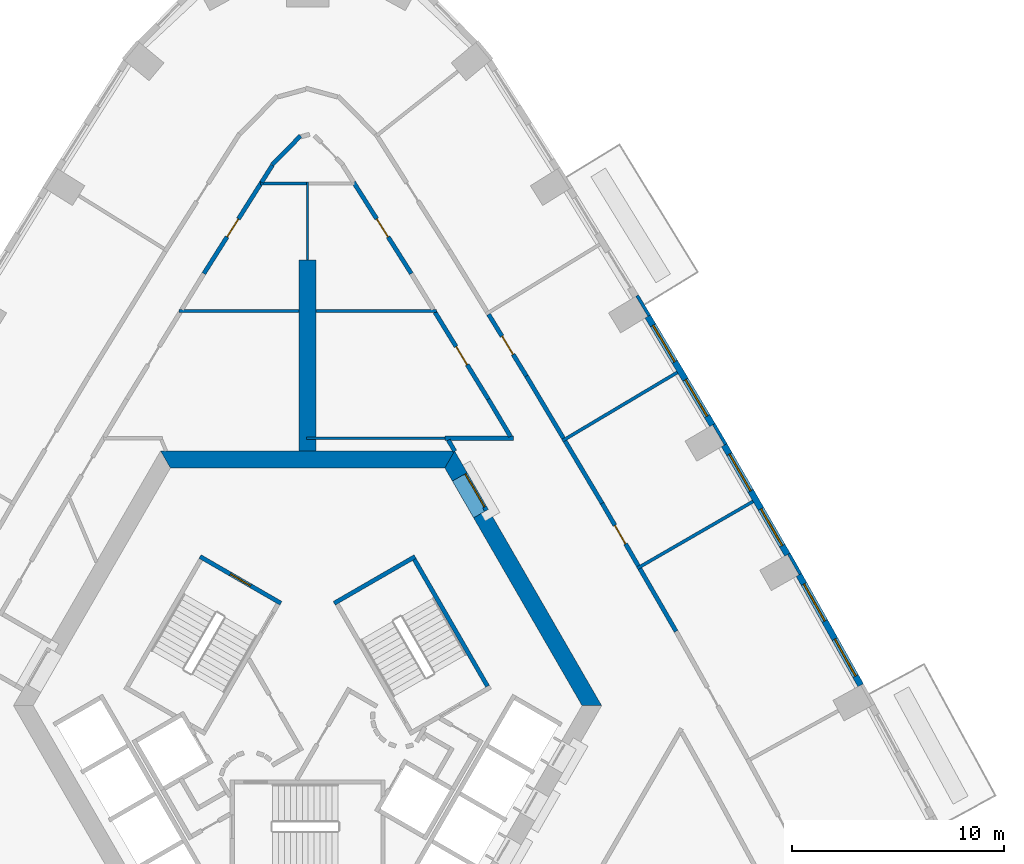
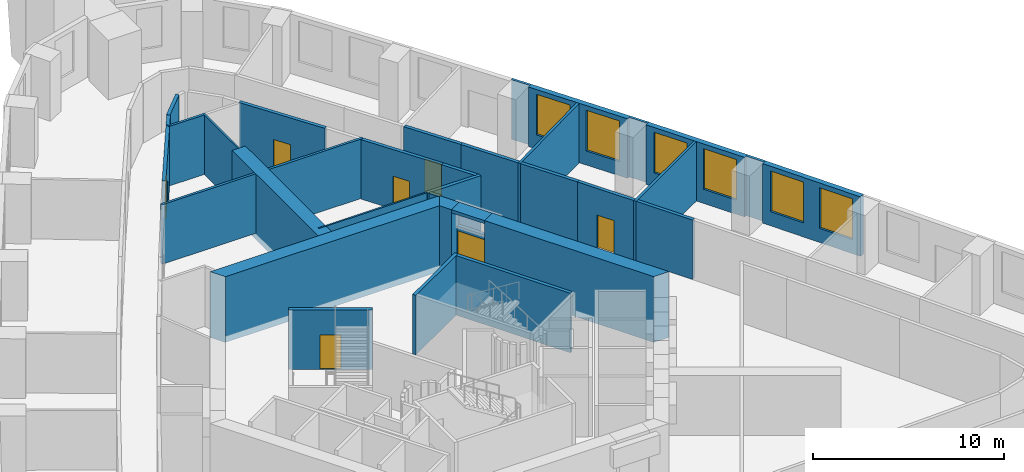
# One storey, part 9 of 15: 35 walls, 7 doors, 6 windows, 13 openings.
"""IFC4 building model written with IfcOpenShell, lengths in metres."""

from ifc_helpers import new_model, si_unit, direction, frame, frame_2d, origin, place, context, subcontext, project, spatial, polyline, rectangle, outline, extrude, material, layer, layer_set, type_object, element, fill, save


model = new_model("IFC4")

# Units and contexts
model_context = context("Model", 3, precision=1e-05, world=origin(), true_north=direction((0.0, 1.0)))
body_context = subcontext(model_context, "Body", "Model", "MODEL_VIEW")
ifc_project = project(units=[si_unit("LENGTHUNIT", "METRE"), si_unit("AREAUNIT", "SQUARE_METRE"), si_unit("VOLUMEUNIT", "CUBIC_METRE"), si_unit("PLANEANGLEUNIT", "RADIAN"), si_unit("MASSUNIT", "GRAM", prefix="KILO")], contexts=[model_context])

# Site, building, storey
site_placement = place(None, origin())
site = spatial("IfcSite", under=ifc_project, at=site_placement, CompositionType="ELEMENT")
building_placement = place(site_placement, origin())
building = spatial("IfcBuilding", under=site, at=building_placement, Name="Entoto Arch Interchange Tower", CompositionType="ELEMENT")
storey_placement = place(building_placement, frame((0.0, 0.0, 150.800048828125)))
storey = spatial("IfcBuildingStorey", under=building, at=storey_placement, Name="L33", CompositionType="ELEMENT", Elevation=150.800048828125)

# Wall
ifc_material_1 = material(Name="Concrete C50/60", Category="concrete")
ifc_layer_1 = layer(ifc_material_1, 0.800048828125)
ifc_layer_set_1 = layer_set([ifc_layer_1], Name="Concrete C50/60")
wall_type_1 = type_object("IfcWallType", Name="Buttress wall 800 C50/60", PredefinedType="SHEAR", material=ifc_layer_set_1)
wall_1_placement = place(storey_placement, frame((0.0, 14.5, -0.400146484375), z_axis=(0.0, 0.0, 1.0), x_axis=(0.0, 1.0, 0.0)))
element("IfcWall", 1, at=wall_1_placement, inside=storey, type_object=wall_type_1, Name="Buttress wall N L33", PredefinedType="SHEAR", context=body_context, shape_type="SweptSolid", body=[
    extrude(rectangle(XDim=9.0, YDim=0.800048828125, at=frame_2d((4.5, 0.0))), origin(), (0.0, 0.0, 1.0), 4.2001953125),
])

# Wall, opening, door
ifc_material_2 = material(Name="Reinforced concrete C40/50", Category="concrete")
ifc_layer_2 = layer(ifc_material_2, 0.199951171875)
ifc_layer_set_2 = layer_set([ifc_layer_2], Name="Reinforced concrete C40/50")
wall_type_2 = type_object("IfcWallType", Name="CORE GAP INFILL WALL", PredefinedType="PARTITIONING", material=ifc_layer_set_2)
wall_2_placement = place(storey_placement, frame((8.429931640625, 11.697998046875, 0.0), z_axis=(0.0, 0.0, 1.0), x_axis=(-0.50002537861, 0.866010750942, 0.0)))
wall_2 = element("IfcWall", 2, at=wall_2_placement, inside=storey, type_object=wall_type_2, Name="wall:L33:gap2", PredefinedType="PARTITIONING", context=body_context, shape_type="SweptSolid", body=[
    extrude(rectangle(XDim=2.0, YDim=0.199951171875, at=frame_2d((1.0, 0.0))), origin(), (0.0, 0.0, 1.0), 2.39990234375),
])
opening_1_placement = place(wall_2_placement, frame((0.18994140625, 0.0, 0.0)))
opening_1 = element("IfcOpeningElement", 3, at=opening_1_placement, cuts=wall_2, Name="Opening L33-D92", PredefinedType="OPENING", context=body_context, shape_type="SweptSolid", body=[
    extrude(rectangle(XDim=1.800048828125, YDim=2.10009765625, at=frame_2d((0.89990234375, 1.050048828125))), frame((0.0, 0.10986328125, 0.0), z_axis=(0.0, -1.0, 0.0), x_axis=(1.0, 0.0, 0.0)), (0.0, 0.0, 1.0), 0.219970703125),
])
ifc_material_3 = material(Name="Fire-rated Steel S235 door and frame", Category="steel")
door_type_1 = type_object("IfcDoorType", Name="DOOR FD-18 1800x2100", OperationType="DOUBLE_DOOR_SINGLE_SWING", PredefinedType="DOOR", material=ifc_material_3)
door_1_placement = place(opening_1_placement, origin())
door_1 = element("IfcDoor", 4, at=door_1_placement, inside=storey, type_object=door_type_1, Name="door:L33:gap2", OperationType="DOUBLE_DOOR_SINGLE_SWING", OverallHeight=2.10009765625, OverallWidth=1.800048828125, PredefinedType="DOOR", context=body_context, shape_type="SweptSolid", body=[
    extrude(rectangle(XDim=1.800048828125, YDim=2.10009765625, at=frame_2d((0.89990234375, 1.050048828125))), frame((0.0, 0.02490234375, 0.0), z_axis=(0.0, -1.0, 0.0), x_axis=(1.0, 0.0, 0.0)), (0.0, 0.0, 1.0), 0.050048828125),
])
fill(opening_1, door_1)

# Walls
ifc_layer_3 = layer(ifc_material_1, 0.800048828125)
ifc_layer_set_3 = layer_set([ifc_layer_3], Name="Concrete C50/60")
wall_type_3 = type_object("IfcWallType", Name="Core wall 800 C50/60", PredefinedType="SHEAR", material=ifc_layer_set_3)
wall_3_placement = place(storey_placement, frame((0.0, 0.0, -0.400146484375)))
element("IfcWall", 5, at=wall_3_placement, inside=storey, type_object=wall_type_3, Name="Core wall NE L33", PredefinedType="SHEAR", context=body_context, shape_type="SweptSolid", body=[
    extrude(outline(polyline([(8.51708984375, 11.748046875), (7.823974609375, 11.347900390625), (12.93310546875, 2.5), (13.85595703125, 2.5), (8.51708984375, 11.748046875)])), origin(), (0.0, 0.0, 1.0), 4.2001953125),
])
wall_4_placement = place(storey_placement, frame((0.0, 0.0, -0.400146484375)))
element("IfcWall", 6, at=wall_4_placement, inside=storey, type_object=wall_type_3, Name="Core wall NE L33", PredefinedType="SHEAR", context=body_context, shape_type="SweptSolid", body=[
    extrude(outline(polyline([(6.823974609375, 13.080078125), (7.51708984375, 13.47998046875), (6.927978515625, 14.5), (6.466064453125, 13.699951171875), (6.823974609375, 13.080078125)])), origin(), (0.0, 0.0, 1.0), 4.2001953125),
])
wall_5_placement = place(storey_placement, frame((0.0, 0.0, 3.599853515625)))
element("IfcWall", 7, at=wall_5_placement, inside=storey, type_object=wall_type_3, Name="Core wall lintel NE L33", PredefinedType="SHEAR", context=body_context, shape_type="SweptSolid", body=[
    extrude(outline(polyline([(7.51708984375, 13.47998046875), (6.823974609375, 13.080078125), (7.823974609375, 11.347900390625), (8.51708984375, 11.748046875), (7.51708984375, 13.47998046875)])), origin(), (0.0, 0.0, 1.0), 0.2001953125),
])
wall_6_placement = place(storey_placement, frame((0.0, 0.0, -0.400146484375)))
element("IfcWall", 8, at=wall_6_placement, inside=storey, type_object=wall_type_3, Name="Core wall N L33", PredefinedType="SHEAR", context=body_context, shape_type="SweptSolid", body=[
    extrude(outline(polyline([(6.927978515625, 14.5), (-6.927978515625, 14.5), (-6.466064453125, 13.699951171875), (6.466064453125, 13.699951171875), (6.927978515625, 14.5)])), origin(), (0.0, 0.0, 1.0), 4.2001953125),
])
ifc_material_4 = material(Name="Gypsum board partition on steel studs", Category="steel")
ifc_layer_4 = layer(ifc_material_4, 0.10009765625)
ifc_layer_set_4 = layer_set([ifc_layer_4], Name="Gypsum board partition on steel studs")
wall_type_4 = type_object("IfcWallType", Name="PARTITION 100", PredefinedType="PARTITIONING", material=ifc_layer_set_4)
wall_7_placement = place(storey_placement, frame((6.48388671875, 15.10009765625, 0.0), z_axis=(0.0, 0.0, 1.0), x_axis=(-1.0, 0.0, 0.0)))
element("IfcWall", 9, at=wall_7_placement, inside=storey, type_object=wall_type_4, Name="wall:L33:p112", PredefinedType="PARTITIONING", context=body_context, shape_type="SweptSolid", body=[
    extrude(rectangle(XDim=6.533935546875, YDim=0.10009765625, at=frame_2d((3.26708984375, 0.0))), origin(), (0.0, 0.0, 1.0), 3.800048828125),
])
wall_8_placement = place(storey_placement, frame((0.0, 23.5, 0.0), z_axis=(0.0, 0.0, 1.0), x_axis=(0.0, 1.0, 0.0)))
element("IfcWall", 10, at=wall_8_placement, inside=storey, type_object=wall_type_4, Name="wall:L33:p115", PredefinedType="PARTITIONING", context=body_context, shape_type="SweptSolid", body=[
    extrude(rectangle(XDim=3.675048828125, YDim=0.10009765625, at=frame_2d((1.83740234375, 0.0))), origin(), (0.0, 0.0, 1.0), 3.800048828125),
])
ifc_layer_5 = layer(ifc_material_4, 0.14990234375)
ifc_layer_set_5 = layer_set([ifc_layer_5], Name="Gypsum board partition on steel studs")
wall_type_5 = type_object("IfcWallType", Name="PARTITION 150", PredefinedType="PARTITIONING", material=ifc_layer_set_5)
for number, where, z_axis, x_axis, name in (
    (11, (0.39990234375, 21.10009765625, 0.0), (0.0, 0.0, 1.0), (1.0, 0.0, 0.0), "wall:L33:p113"),
    (12, (-6.06591796875, 21.10009765625, 0.0), (0.0, 0.0, 1.0), (1.0, 0.0, 0.0), "wall:L33:p114"),
):
    element("IfcWall", number, at=place(storey_placement, frame(where, z_axis=z_axis, x_axis=x_axis)), inside=storey, type_object=wall_type_5, Name=name, PredefinedType="PARTITIONING", context=body_context, shape_type="SweptSolid", body=[
        extrude(rectangle(XDim=5.666015625, YDim=0.14990234375, at=frame_2d((2.8330078125, 0.0))), origin(), (0.0, 0.0, 1.0), 3.800048828125),
    ])
wall_9_placement = place(storey_placement, frame((-2.2080078125, 27.10009765625, 0.0), z_axis=(0.0, 0.0, 1.0), x_axis=(1.0, 0.0, 0.0)))
element("IfcWall", 13, at=wall_9_placement, inside=storey, type_object=wall_type_5, Name="wall:L33:p117", PredefinedType="PARTITIONING", context=body_context, shape_type="SweptSolid", body=[
    extrude(rectangle(XDim=2.157958984375, YDim=0.14990234375, at=frame_2d((1.0791015625, 0.0))), origin(), (0.0, 0.0, 1.0), 3.800048828125),
])
wall_10_placement = place(storey_placement, frame((15.534912109375, 8.968994140625, 0.0), z_axis=(0.0, 0.0, 1.0), x_axis=(0.865951968193, 0.500127172609, 0.0)))
element("IfcWall", 14, at=wall_10_placement, inside=storey, type_object=wall_type_5, Name="wall:L33:p128", PredefinedType="PARTITIONING", context=body_context, shape_type="SweptSolid", body=[
    extrude(rectangle(XDim=6.300537109375, YDim=0.14990234375, at=frame_2d((3.150390625, 0.0))), origin(), (0.0, 0.0, 1.0), 3.800048828125),
])
wall_11_placement = place(storey_placement, frame((12.010009765625, 14.98095703125, 0.0), z_axis=(0.0, 0.0, 1.0), x_axis=(0.859343975102, 0.51139801765, 0.0)))
element("IfcWall", 15, at=wall_11_placement, inside=storey, type_object=wall_type_5, Name="wall:L33:p129", PredefinedType="PARTITIONING", context=body_context, shape_type="SweptSolid", body=[
    extrude(rectangle(XDim=6.30029296875, YDim=0.14990234375, at=frame_2d((3.150146484375, 0.0))), origin(), (0.0, 0.0, 1.0), 3.800048828125),
])
ifc_layer_6 = layer(ifc_material_4, 0.199951171875)
ifc_layer_set_6 = layer_set([ifc_layer_6], Name="Gypsum board partition on steel studs")
wall_type_6 = type_object("IfcWallType", Name="PARTITION 200", PredefinedType="PARTITIONING", material=ifc_layer_set_6)
wall_12_placement = place(storey_placement, frame((6.48388671875, 15.10009765625, 0.0), z_axis=(0.0, 0.0, 1.0), x_axis=(1.0, 0.0, 0.0)))
element("IfcWall", 16, at=wall_12_placement, inside=storey, type_object=wall_type_6, Name="wall:L33:p005", PredefinedType="PARTITIONING", context=body_context, shape_type="SweptSolid", body=[
    extrude(rectangle(XDim=3.22802734375, YDim=0.199951171875, at=frame_2d((1.614013671875, 0.0))), origin(), (0.0, 0.0, 1.0), 3.800048828125),
])
wall_13_placement = place(storey_placement, frame((9.56103515625, 15.18603515625, 0.0), z_axis=(0.0, 0.0, 1.0), x_axis=(-0.511399832047, 0.859342895346, 0.0)))
element("IfcWall", 17, at=wall_13_placement, inside=storey, type_object=wall_type_6, Name="wall:L33:p006", PredefinedType="PARTITIONING", context=body_context, shape_type="SweptSolid", body=[
    extrude(rectangle(XDim=2.043212890625, YDim=0.199951171875, at=frame_2d((1.021484375, 0.0))), origin(), (0.0, 0.0, 1.0), 3.800048828125),
])

# Wall, opening, door
wall_14_placement = place(storey_placement, frame((8.51611328125, 16.94189453125, 0.0), z_axis=(0.0, 0.0, 1.0), x_axis=(-0.522865983217, 0.852414901086, 0.0)))
wall_14 = element("IfcWall", 18, at=wall_14_placement, inside=storey, type_object=wall_type_6, Name="wall:L33:p007", PredefinedType="PARTITIONING", context=body_context, shape_type="SweptSolid", body=[
    extrude(rectangle(XDim=4.802734375, YDim=0.199951171875, at=frame_2d((2.4013671875, 0.0))), origin(), (0.0, 0.0, 1.0), 3.800048828125),
])
opening_2_placement = place(wall_14_placement, frame((1.90087890625, 0.0, 0.0)))
opening_2 = element("IfcOpeningElement", 19, at=opening_2_placement, cuts=wall_14, Name="Opening L33-D19", PredefinedType="OPENING", context=body_context, shape_type="SweptSolid", body=[
    extrude(rectangle(XDim=1.0, YDim=2.10009765625, at=frame_2d((0.5, 1.050048828125))), frame((0.0, 0.10986328125, 0.0), z_axis=(0.0, -1.0, 0.0), x_axis=(1.0, 0.0, 0.0)), (0.0, 0.0, 1.0), 0.219970703125),
])
ifc_material_5 = material(Name="Timber door leaf in Steel S235 frame", Category="steel")
door_type_2 = type_object("IfcDoorType", Name="DOOR DS-10 1000x2100", OperationType="SINGLE_SWING_LEFT", PredefinedType="DOOR", material=ifc_material_5)
door_2_placement = place(opening_2_placement, origin())
door_2 = element("IfcDoor", 20, at=door_2_placement, inside=storey, type_object=door_type_2, Name="door:L33:19", OperationType="SINGLE_SWING_LEFT", OverallHeight=2.10009765625, OverallWidth=1.0, PredefinedType="DOOR", context=body_context, shape_type="SweptSolid", body=[
    extrude(rectangle(XDim=1.0, YDim=2.10009765625, at=frame_2d((0.5, 1.050048828125))), frame((0.0, 0.02490234375, 0.0), z_axis=(0.0, -1.0, 0.0), x_axis=(1.0, 0.0, 0.0)), (0.0, 0.0, 1.0), 0.050048828125),
])
fill(opening_2, door_2)

# Wall
wall_15_placement = place(storey_placement, frame((6.93701171875, 14.488037109375, 0.0), z_axis=(0.0, 0.0, 1.0), x_axis=(-0.499908430952, 0.866078264744, 0.0)))
element("IfcWall", 21, at=wall_15_placement, inside=storey, type_object=wall_type_6, Name="wall:L33:p008", PredefinedType="PARTITIONING", context=body_context, shape_type="SweptSolid", body=[
    extrude(rectangle(XDim=0.60595703125, YDim=0.199951171875, at=frame_2d((0.302978515625, 0.0))), origin(), (0.0, 0.0, 1.0), 3.800048828125),
])

# Wall, opening, door
wall_16_placement = place(storey_placement, frame((4.886962890625, 22.860107421875, 0.0), z_axis=(0.0, 0.0, 1.0), x_axis=(-0.534315942524, 0.845284847589, 0.0)))
wall_16 = element("IfcWall", 22, at=wall_16_placement, inside=storey, type_object=wall_type_6, Name="wall:L33:p012", PredefinedType="PARTITIONING", context=body_context, shape_type="SweptSolid", body=[
    extrude(rectangle(XDim=5.090576171875, YDim=0.199951171875, at=frame_2d((2.54541015625, 0.0))), origin(), (0.0, 0.0, 1.0), 3.800048828125),
])
opening_3_placement = place(wall_16_placement, frame((2.044921875, 0.0, 0.0)))
opening_3 = element("IfcOpeningElement", 23, at=opening_3_placement, cuts=wall_16, Name="Opening L33-D21", PredefinedType="OPENING", context=body_context, shape_type="SweptSolid", body=[
    extrude(rectangle(XDim=1.0, YDim=2.10009765625, at=frame_2d((0.5, 1.050048828125))), frame((0.0, 0.10986328125, 0.0), z_axis=(0.0, -1.0, 0.0), x_axis=(1.0, 0.0, 0.0)), (0.0, 0.0, 1.0), 0.219970703125),
])
door_3_placement = place(opening_3_placement, origin())
door_3 = element("IfcDoor", 24, at=door_3_placement, inside=storey, type_object=door_type_2, Name="door:L33:21", OperationType="SINGLE_SWING_LEFT", OverallHeight=2.10009765625, OverallWidth=1.0, PredefinedType="DOOR", context=body_context, shape_type="SweptSolid", body=[
    extrude(rectangle(XDim=1.0, YDim=2.10009765625, at=frame_2d((0.5, 1.050048828125))), frame((0.0, 0.02490234375, 0.0), z_axis=(0.0, -1.0, 0.0), x_axis=(1.0, 0.0, 0.0)), (0.0, 0.0, 1.0), 0.050048828125),
])
fill(opening_3, door_3)

wall_17_placement = place(storey_placement, frame((-2.1669921875, 27.1630859375, 0.0), z_axis=(0.0, 0.0, 1.0), x_axis=(-0.534315942524, -0.845284847589, 0.0)))
wall_17 = element("IfcWall", 25, at=wall_17_placement, inside=storey, type_object=wall_type_6, Name="wall:L33:p013", PredefinedType="PARTITIONING", context=body_context, shape_type="SweptSolid", body=[
    extrude(rectangle(XDim=5.090576171875, YDim=0.199951171875, at=frame_2d((2.54541015625, 0.0))), origin(), (0.0, 0.0, 1.0), 3.800048828125),
])
opening_4_placement = place(wall_17_placement, frame((2.044921875, 0.0, 0.0)))
opening_4 = element("IfcOpeningElement", 26, at=opening_4_placement, cuts=wall_17, Name="Opening L33-D22", PredefinedType="OPENING", context=body_context, shape_type="SweptSolid", body=[
    extrude(rectangle(XDim=1.0, YDim=2.10009765625, at=frame_2d((0.5, 1.050048828125))), frame((0.0, 0.10986328125, 0.0), z_axis=(0.0, -1.0, 0.0), x_axis=(1.0, 0.0, 0.0)), (0.0, 0.0, 1.0), 0.219970703125),
])
door_4_placement = place(opening_4_placement, origin())
door_4 = element("IfcDoor", 27, at=door_4_placement, inside=storey, type_object=door_type_2, Name="door:L33:22", OperationType="SINGLE_SWING_LEFT", OverallHeight=2.10009765625, OverallWidth=1.0, PredefinedType="DOOR", context=body_context, shape_type="SweptSolid", body=[
    extrude(rectangle(XDim=1.0, YDim=2.10009765625, at=frame_2d((0.5, 1.050048828125))), frame((0.0, 0.02490234375, 0.0), z_axis=(0.0, -1.0, 0.0), x_axis=(1.0, 0.0, 0.0)), (0.0, 0.0, 1.0), 0.050048828125),
])
fill(opening_4, door_4)

# Walls
wall_18_placement = place(storey_placement, frame((-0.327880859375, 29.35400390625, 0.0), z_axis=(0.0, 0.0, 1.0), x_axis=(-0.700357727804, -0.713792023705, 0.0)))
element("IfcWall", 28, at=wall_18_placement, inside=storey, type_object=wall_type_6, Name="wall:L33:p018", PredefinedType="PARTITIONING", context=body_context, shape_type="SweptSolid", body=[
    extrude(rectangle(XDim=1.92626953125, YDim=0.199951171875, at=frame_2d((0.963134765625, 0.0))), origin(), (0.0, 0.0, 1.0), 3.800048828125),
])
wall_19_placement = place(storey_placement, frame((-1.659912109375, 27.966064453125, 0.0), z_axis=(0.0, 0.0, 1.0), x_axis=(-0.533944629884, -0.845519445204, 0.0)))
element("IfcWall", 29, at=wall_19_placement, inside=storey, type_object=wall_type_6, Name="wall:L33:p019", PredefinedType="PARTITIONING", context=body_context, shape_type="SweptSolid", body=[
    extrude(rectangle(XDim=0.94970703125, YDim=0.199951171875, at=frame_2d((0.474853515625, 0.0))), origin(), (0.0, 0.0, 1.0), 3.800048828125),
])
wall_20_placement = place(storey_placement, frame((15.658935546875, 8.9541015625, 0.0), z_axis=(0.0, 0.0, 1.0), x_axis=(0.50001992892, -0.866013897511, 0.0)))
element("IfcWall", 30, at=wall_20_placement, inside=storey, type_object=wall_type_6, Name="wall:L33:p048", PredefinedType="PARTITIONING", context=body_context, shape_type="SweptSolid", body=[
    extrude(rectangle(XDim=3.409912109375, YDim=0.199951171875, at=frame_2d((1.705078125, 0.0))), origin(), (0.0, 0.0, 1.0), 3.800048828125),
])
wall_21_placement = place(storey_placement, frame((12.134033203125, 14.968017578125, 0.0), z_axis=(0.0, 0.0, 1.0), x_axis=(0.511545516492, -0.859256180983, 0.0)))
element("IfcWall", 31, at=wall_21_placement, inside=storey, type_object=wall_type_6, Name="wall:L33:p050", PredefinedType="PARTITIONING", context=body_context, shape_type="SweptSolid", body=[
    extrude(rectangle(XDim=3.410888671875, YDim=0.199951171875, at=frame_2d((1.70556640625, 0.0))), origin(), (0.0, 0.0, 1.0), 3.800048828125),
])

# Wall, opening, door
wall_22_placement = place(storey_placement, frame((13.87890625, 12.037109375, 0.0), z_axis=(0.0, 0.0, 1.0), x_axis=(0.50001992892, -0.866013897511, 0.0)))
wall_22 = element("IfcWall", 32, at=wall_22_placement, inside=storey, type_object=wall_type_6, Name="wall:L33:p051", PredefinedType="PARTITIONING", context=body_context, shape_type="SweptSolid", body=[
    extrude(rectangle(XDim=3.409912109375, YDim=0.199951171875, at=frame_2d((1.705078125, 0.0))), origin(), (0.0, 0.0, 1.0), 3.800048828125),
])
opening_5_placement = place(wall_22_placement, frame((1.205078125, 0.0, 0.0)))
opening_5 = element("IfcOpeningElement", 33, at=opening_5_placement, cuts=wall_22, Name="Opening L33-D07", PredefinedType="OPENING", context=body_context, shape_type="SweptSolid", body=[
    extrude(rectangle(XDim=1.0, YDim=2.10009765625, at=frame_2d((0.5, 1.050048828125))), frame((0.0, 0.10986328125, 0.0), z_axis=(0.0, -1.0, 0.0), x_axis=(1.0, 0.0, 0.0)), (0.0, 0.0, 1.0), 0.219970703125),
])
door_5_placement = place(opening_5_placement, origin())
door_5 = element("IfcDoor", 34, at=door_5_placement, inside=storey, type_object=door_type_2, Name="door:L33:07", OperationType="SINGLE_SWING_LEFT", OverallHeight=2.10009765625, OverallWidth=1.0, PredefinedType="DOOR", context=body_context, shape_type="SweptSolid", body=[
    extrude(rectangle(XDim=1.0, YDim=2.10009765625, at=frame_2d((0.5, 1.050048828125))), frame((0.0, 0.02490234375, 0.0), z_axis=(0.0, -1.0, 0.0), x_axis=(1.0, 0.0, 0.0)), (0.0, 0.0, 1.0), 0.050048828125),
])
fill(opening_5, door_5)

wall_23_placement = place(storey_placement, frame((8.530029296875, 20.93505859375, 0.0), z_axis=(0.0, 0.0, 1.0), x_axis=(0.522830634433, -0.852436582801, 0.0)))
wall_23 = element("IfcWall", 35, at=wall_23_placement, inside=storey, type_object=wall_type_6, Name="wall:L33:p052", PredefinedType="PARTITIONING", context=body_context, shape_type="SweptSolid", body=[
    extrude(rectangle(XDim=3.41015625, YDim=0.199951171875, at=frame_2d((1.705078125, 0.0))), origin(), (0.0, 0.0, 1.0), 3.800048828125),
])
opening_6_placement = place(wall_23_placement, frame((1.205078125, 0.0, 0.0)))
opening_6 = element("IfcOpeningElement", 36, at=opening_6_placement, cuts=wall_23, Name="Opening L33-D08", PredefinedType="OPENING", context=body_context, shape_type="SweptSolid", body=[
    extrude(rectangle(XDim=1.0, YDim=2.10009765625, at=frame_2d((0.5, 1.050048828125))), frame((0.0, 0.10986328125, 0.0), z_axis=(0.0, -1.0, 0.0), x_axis=(1.0, 0.0, 0.0)), (0.0, 0.0, 1.0), 0.219970703125),
])
door_6_placement = place(opening_6_placement, origin())
door_6 = element("IfcDoor", 37, at=door_6_placement, inside=storey, type_object=door_type_2, Name="door:L33:08", OperationType="SINGLE_SWING_LEFT", OverallHeight=2.10009765625, OverallWidth=1.0, PredefinedType="DOOR", context=body_context, shape_type="SweptSolid", body=[
    extrude(rectangle(XDim=1.0, YDim=2.10009765625, at=frame_2d((0.5, 1.050048828125))), frame((0.0, 0.02490234375, 0.0), z_axis=(0.0, -1.0, 0.0), x_axis=(1.0, 0.0, 0.0)), (0.0, 0.0, 1.0), 0.050048828125),
])
fill(opening_6, door_6)

# Walls
wall_24_placement = place(storey_placement, frame((10.31298828125, 18.028076171875, 0.0), z_axis=(0.0, 0.0, 1.0), x_axis=(0.511566898838, -0.859243450958, 0.0)))
element("IfcWall", 38, at=wall_24_placement, inside=storey, type_object=wall_type_6, Name="wall:L33:p053", PredefinedType="PARTITIONING", context=body_context, shape_type="SweptSolid", body=[
    extrude(rectangle(XDim=3.411376953125, YDim=0.199951171875, at=frame_2d((1.70556640625, 0.0))), origin(), (0.0, 0.0, 1.0), 3.800048828125),
])
ifc_material_6 = material(Name="Concrete C40/50", Category="concrete")
ifc_layer_7 = layer(ifc_material_6, 0.199951171875)
ifc_layer_set_7 = layer_set([ifc_layer_7], Name="Concrete C40/50")
wall_type_7 = type_object("IfcWallType", Name="STAIR ENCLOSURE WALL 200", PredefinedType="STANDARD", material=ifc_layer_set_7)
wall_25_placement = place(storey_placement, frame((1.256103515625, 7.323974609375, 0.0), z_axis=(0.0, 0.0, 1.0), x_axis=(0.866046073146, 0.499964197906, 0.0)))
element("IfcWall", 39, at=wall_25_placement, inside=storey, type_object=wall_type_7, Name="Stair wall ST-NE far", PredefinedType="STANDARD", context=body_context, shape_type="SweptSolid", body=[
    extrude(rectangle(XDim=4.400146484375, YDim=0.199951171875, at=frame_2d((2.2001953125, 0.0))), origin(), (0.0, 0.0, 1.0), 3.800048828125),
])
wall_26_placement = place(storey_placement, frame((8.47998046875, 3.412109375, 0.0), z_axis=(0.0, 0.0, 1.0), x_axis=(-0.499978703459, 0.866037698999, 0.0)))
element("IfcWall", 40, at=wall_26_placement, inside=storey, type_object=wall_type_7, Name="Stair wall ST-NE back", PredefinedType="STANDARD", context=body_context, shape_type="SweptSolid", body=[
    extrude(rectangle(XDim=6.900146484375, YDim=0.199951171875, at=frame_2d((3.4501953125, 0.0))), origin(), (0.0, 0.0, 1.0), 3.800048828125),
])

# Wall, opening, door
wall_27_placement = place(storey_placement, frame((-1.256103515625, 7.323974609375, 0.0), z_axis=(0.0, 0.0, 1.0), x_axis=(-0.866046073146, 0.499964197906, 0.0)))
wall_27 = element("IfcWall", 41, at=wall_27_placement, inside=storey, type_object=wall_type_7, Name="Stair wall ST-NW near", PredefinedType="STANDARD", context=body_context, shape_type="SweptSolid", body=[
    extrude(rectangle(XDim=4.400146484375, YDim=0.199951171875, at=frame_2d((2.2001953125, 0.0))), origin(), (0.0, 0.0, 1.0), 3.800048828125),
])
opening_7_placement = place(wall_27_placement, frame((1.64990234375, 0.0, 0.0)))
opening_7 = element("IfcOpeningElement", 42, at=opening_7_placement, cuts=wall_27, Name="Opening SD-ST-NW-L33-E", PredefinedType="OPENING", context=body_context, shape_type="SweptSolid", body=[
    extrude(rectangle(XDim=1.10009765625, YDim=2.199951171875, at=frame_2d((0.550048828125, 1.10009765625))), frame((0.0, 0.10986328125, 0.0), z_axis=(0.0, -1.0, 0.0), x_axis=(1.0, 0.0, 0.0)), (0.0, 0.0, 1.0), 0.219970703125),
])
ifc_material_7 = material(Name="Steel S235", Category="steel")
door_type_3 = type_object("IfcDoorType", Name="STAIR DOOR SD1 1100x2200", OperationType="SINGLE_SWING_LEFT", PredefinedType="DOOR", material=ifc_material_7)
door_7_placement = place(opening_7_placement, origin())
door_7 = element("IfcDoor", 43, at=door_7_placement, inside=storey, type_object=door_type_3, Name="Stair door ST-NW L33 end", OperationType="SINGLE_SWING_LEFT", OverallHeight=2.199951171875, OverallWidth=1.10009765625, PredefinedType="DOOR", context=body_context, shape_type="SweptSolid", body=[
    extrude(rectangle(XDim=1.10009765625, YDim=2.199951171875, at=frame_2d((0.550048828125, 1.10009765625))), frame((0.0, 0.02490234375, 0.0), z_axis=(0.0, -1.0, 0.0), x_axis=(1.0, 0.0, 0.0)), (0.0, 0.0, 1.0), 0.050048828125),
])
fill(opening_7, door_7)

# Wall, openings, windows
ifc_material_8 = material(Name="Welded tuff (ignimbrite) cladding, warm buff", Category="masonry")
ifc_layer_8 = layer(ifc_material_8, 0.300048828125)
ifc_layer_set_8 = layer_set([ifc_layer_8], Name="Welded tuff (ignimbrite) cladding, warm buff")
wall_type_8 = type_object("IfcWallType", Name="STONE INFILL WALL 300", PredefinedType="STANDARD", material=ifc_layer_set_8)
wall_28_placement = place(storey_placement, frame((26.06201171875, 3.462890625, 0.0), z_axis=(0.0, 0.0, 1.0), x_axis=(-0.488354983501, 0.872645065356, 0.0)))
wall_28 = element("IfcWall", 44, at=wall_28_placement, inside=storey, type_object=wall_type_8, Name="Facade wall NE-03 L33", PredefinedType="STANDARD", context=body_context, shape_type="SweptSolid", body=[
    extrude(rectangle(XDim=5.95654296875, YDim=0.300048828125, at=frame_2d((2.978271484375, 0.0))), origin(), (0.0, 0.0, 1.0), 3.800048828125),
])
opening_8_placement = place(wall_28_placement, frame((0.489013671875, 0.0, 0.89990234375)))
opening_8 = element("IfcOpeningElement", 45, at=opening_8_placement, cuts=wall_28, Name="Opening WO-C", PredefinedType="OPENING", context=body_context, shape_type="SweptSolid", body=[
    extrude(rectangle(XDim=2.0, YDim=2.60009765625, at=frame_2d((1.0, 1.300048828125))), frame((0.0, 0.16015625, 0.0), z_axis=(0.0, -1.0, 0.0), x_axis=(1.0, 0.0, 0.0)), (0.0, 0.0, 1.0), 0.320068359375),
])
opening_9_placement = place(wall_28_placement, frame((3.467041015625, 0.0, 0.89990234375)))
opening_9 = element("IfcOpeningElement", 46, at=opening_9_placement, cuts=wall_28, Name="Opening WO-C", PredefinedType="OPENING", context=body_context, shape_type="SweptSolid", body=[
    extrude(rectangle(XDim=2.0, YDim=2.60009765625, at=frame_2d((1.0, 1.300048828125))), frame((0.0, 0.16015625, 0.0), z_axis=(0.0, -1.0, 0.0), x_axis=(1.0, 0.0, 0.0)), (0.0, 0.0, 1.0), 0.320068359375),
])
ifc_material_9 = material(Name="Clear glass, low-e double glazed", Category="glass")
window_type = type_object("IfcWindowType", Name="WINDOW WO-C 2000x2600", PartitioningType="DOUBLE_PANEL_VERTICAL", PredefinedType="WINDOW", material=ifc_material_9)
window_1_placement = place(opening_8_placement, origin())
window_1 = element("IfcWindow", 47, at=window_1_placement, inside=storey, type_object=window_type, Name="Window WO-C NE-03 L33", OverallHeight=2.60009765625, OverallWidth=2.0, PartitioningType="SINGLE_PANEL", PredefinedType="WINDOW", context=body_context, shape_type="SweptSolid", body=[
    extrude(rectangle(XDim=2.0, YDim=2.60009765625, at=frame_2d((1.0, 1.300048828125))), frame((0.0, 0.030029296875, 0.0), z_axis=(0.0, -1.0, 0.0), x_axis=(1.0, 0.0, 0.0)), (0.0, 0.0, 1.0), 0.06005859375),
])
fill(opening_8, window_1)
window_2_placement = place(opening_9_placement, origin())
window_2 = element("IfcWindow", 48, at=window_2_placement, inside=storey, type_object=window_type, Name="Window WO-C NE-03 L33", OverallHeight=2.60009765625, OverallWidth=2.0, PartitioningType="SINGLE_PANEL", PredefinedType="WINDOW", context=body_context, shape_type="SweptSolid", body=[
    extrude(rectangle(XDim=2.0, YDim=2.60009765625, at=frame_2d((1.0, 1.300048828125))), frame((0.0, 0.030029296875, 0.0), z_axis=(0.0, -1.0, 0.0), x_axis=(1.0, 0.0, 0.0)), (0.0, 0.0, 1.0), 0.06005859375),
])
fill(opening_9, window_2)

wall_29_placement = place(storey_placement, frame((22.610107421875, 9.614990234375, 0.0), z_axis=(0.0, 0.0, 1.0), x_axis=(-0.500061823953, 0.865989706766, 0.0)))
wall_29 = element("IfcWall", 49, at=wall_29_placement, inside=storey, type_object=wall_type_8, Name="Facade wall NE-04 L33", PredefinedType="STANDARD", context=body_context, shape_type="SweptSolid", body=[
    extrude(rectangle(XDim=5.957275390625, YDim=0.300048828125, at=frame_2d((2.978515625, 0.0))), origin(), (0.0, 0.0, 1.0), 3.800048828125),
])
opening_10_placement = place(wall_29_placement, frame((0.489013671875, 0.0, 0.89990234375)))
opening_10 = element("IfcOpeningElement", 50, at=opening_10_placement, cuts=wall_29, Name="Opening WO-C", PredefinedType="OPENING", context=body_context, shape_type="SweptSolid", body=[
    extrude(rectangle(XDim=2.0, YDim=2.60009765625, at=frame_2d((1.0, 1.300048828125))), frame((0.0, 0.16015625, 0.0), z_axis=(0.0, -1.0, 0.0), x_axis=(1.0, 0.0, 0.0)), (0.0, 0.0, 1.0), 0.320068359375),
])
opening_11_placement = place(wall_29_placement, frame((3.468017578125, 0.0, 0.89990234375)))
opening_11 = element("IfcOpeningElement", 51, at=opening_11_placement, cuts=wall_29, Name="Opening WO-C", PredefinedType="OPENING", context=body_context, shape_type="SweptSolid", body=[
    extrude(rectangle(XDim=2.0, YDim=2.60009765625, at=frame_2d((1.0, 1.300048828125))), frame((0.0, 0.16015625, 0.0), z_axis=(0.0, -1.0, 0.0), x_axis=(1.0, 0.0, 0.0)), (0.0, 0.0, 1.0), 0.320068359375),
])
window_3_placement = place(opening_10_placement, origin())
window_3 = element("IfcWindow", 52, at=window_3_placement, inside=storey, type_object=window_type, Name="Window WO-C NE-04 L33", OverallHeight=2.60009765625, OverallWidth=2.0, PartitioningType="SINGLE_PANEL", PredefinedType="WINDOW", context=body_context, shape_type="SweptSolid", body=[
    extrude(rectangle(XDim=2.0, YDim=2.60009765625, at=frame_2d((1.0, 1.300048828125))), frame((0.0, 0.030029296875, 0.0), z_axis=(0.0, -1.0, 0.0), x_axis=(1.0, 0.0, 0.0)), (0.0, 0.0, 1.0), 0.06005859375),
])
fill(opening_10, window_3)
window_4_placement = place(opening_11_placement, origin())
window_4 = element("IfcWindow", 53, at=window_4_placement, inside=storey, type_object=window_type, Name="Window WO-C NE-04 L33", OverallHeight=2.60009765625, OverallWidth=2.0, PartitioningType="SINGLE_PANEL", PredefinedType="WINDOW", context=body_context, shape_type="SweptSolid", body=[
    extrude(rectangle(XDim=2.0, YDim=2.60009765625, at=frame_2d((1.0, 1.300048828125))), frame((0.0, 0.030029296875, 0.0), z_axis=(0.0, -1.0, 0.0), x_axis=(1.0, 0.0, 0.0)), (0.0, 0.0, 1.0), 0.06005859375),
])
fill(opening_11, window_4)

wall_30_placement = place(storey_placement, frame((19.075927734375, 15.720947265625, 0.0), z_axis=(0.0, 0.0, 1.0), x_axis=(-0.511455040009, 0.859310038374, 0.0)))
wall_30 = element("IfcWall", 54, at=wall_30_placement, inside=storey, type_object=wall_type_8, Name="Facade wall NE-05 L33", PredefinedType="STANDARD", context=body_context, shape_type="SweptSolid", body=[
    extrude(rectangle(XDim=5.957275390625, YDim=0.300048828125, at=frame_2d((2.978515625, 0.0))), origin(), (0.0, 0.0, 1.0), 3.800048828125),
])
opening_12_placement = place(wall_30_placement, frame((0.489013671875, 0.0, 0.89990234375)))
opening_12 = element("IfcOpeningElement", 55, at=opening_12_placement, cuts=wall_30, Name="Opening WO-C", PredefinedType="OPENING", context=body_context, shape_type="SweptSolid", body=[
    extrude(rectangle(XDim=2.0, YDim=2.60009765625, at=frame_2d((1.0, 1.300048828125))), frame((0.0, 0.16015625, 0.0), z_axis=(0.0, -1.0, 0.0), x_axis=(1.0, 0.0, 0.0)), (0.0, 0.0, 1.0), 0.320068359375),
])
opening_13_placement = place(wall_30_placement, frame((3.468017578125, 0.0, 0.89990234375)))
opening_13 = element("IfcOpeningElement", 56, at=opening_13_placement, cuts=wall_30, Name="Opening WO-C", PredefinedType="OPENING", context=body_context, shape_type="SweptSolid", body=[
    extrude(rectangle(XDim=2.0, YDim=2.60009765625, at=frame_2d((1.0, 1.300048828125))), frame((0.0, 0.16015625, 0.0), z_axis=(0.0, -1.0, 0.0), x_axis=(1.0, 0.0, 0.0)), (0.0, 0.0, 1.0), 0.320068359375),
])
window_5_placement = place(opening_12_placement, origin())
window_5 = element("IfcWindow", 57, at=window_5_placement, inside=storey, type_object=window_type, Name="Window WO-C NE-05 L33", OverallHeight=2.60009765625, OverallWidth=2.0, PartitioningType="SINGLE_PANEL", PredefinedType="WINDOW", context=body_context, shape_type="SweptSolid", body=[
    extrude(rectangle(XDim=2.0, YDim=2.60009765625, at=frame_2d((1.0, 1.300048828125))), frame((0.0, 0.030029296875, 0.0), z_axis=(0.0, -1.0, 0.0), x_axis=(1.0, 0.0, 0.0)), (0.0, 0.0, 1.0), 0.06005859375),
])
fill(opening_12, window_5)
window_6_placement = place(opening_13_placement, origin())
window_6 = element("IfcWindow", 58, at=window_6_placement, inside=storey, type_object=window_type, Name="Window WO-C NE-05 L33", OverallHeight=2.60009765625, OverallWidth=2.0, PartitioningType="SINGLE_PANEL", PredefinedType="WINDOW", context=body_context, shape_type="SweptSolid", body=[
    extrude(rectangle(XDim=2.0, YDim=2.60009765625, at=frame_2d((1.0, 1.300048828125))), frame((0.0, 0.030029296875, 0.0), z_axis=(0.0, -1.0, 0.0), x_axis=(1.0, 0.0, 0.0)), (0.0, 0.0, 1.0), 0.06005859375),
])
fill(opening_13, window_6)

# Walls
ifc_layer_9 = layer(ifc_material_8, 0.14990234375)
ifc_layer_set_9 = layer_set([ifc_layer_9], Name="Welded tuff (ignimbrite) cladding, warm buff")
wall_type_9 = type_object("IfcWallType", Name="STONE PIER CLADDING 150", PredefinedType="STANDARD", material=ifc_layer_set_9)
wall_31_placement = place(storey_placement, frame((23.221923828125, 8.698974609375, 0.0), z_axis=(0.0, 0.0, 1.0), x_axis=(-0.494512685492, 0.869170411305, 0.0)))
element("IfcWall", 59, at=wall_31_placement, inside=storey, type_object=wall_type_9, Name="Stone pier NE04 L33", PredefinedType="STANDARD", context=body_context, shape_type="SweptSolid", body=[
    extrude(rectangle(XDim=1.099853515625, YDim=0.14990234375, at=frame_2d((0.5498046875, 0.0))), origin(), (0.0, 0.0, 1.0), 3.800048828125),
])
wall_32_placement = place(storey_placement, frame((19.699951171875, 14.81298828125, 0.0), z_axis=(0.0, 0.0, 1.0), x_axis=(-0.506505715302, 0.862236603472, 0.0)))
element("IfcWall", 60, at=wall_32_placement, inside=storey, type_object=wall_type_9, Name="Stone pier NE05 L33", PredefinedType="STANDARD", context=body_context, shape_type="SweptSolid", body=[
    extrude(rectangle(XDim=1.099365234375, YDim=0.14990234375, at=frame_2d((0.5498046875, 0.0))), origin(), (0.0, 0.0, 1.0), 3.800048828125),
])
wall_33_placement = place(storey_placement, frame((16.097900390625, 20.8798828125, 0.0), z_axis=(0.0, 0.0, 1.0), x_axis=(-0.517918067967, 0.85543022794, 0.0)))
element("IfcWall", 61, at=wall_33_placement, inside=storey, type_object=wall_type_9, Name="Stone pier NE06 L33", PredefinedType="STANDARD", context=body_context, shape_type="SweptSolid", body=[
    extrude(rectangle(XDim=1.100341796875, YDim=0.14990234375, at=frame_2d((0.55029296875, 0.0))), origin(), (0.0, 0.0, 1.0), 3.800048828125),
])

save(model, "model.ifc")
